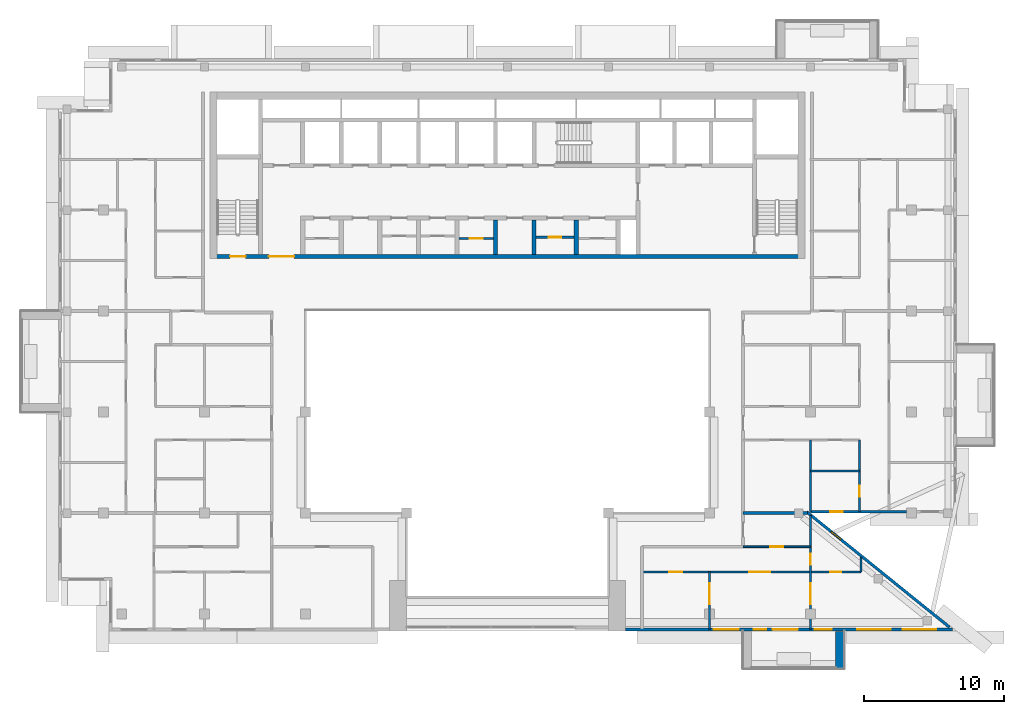
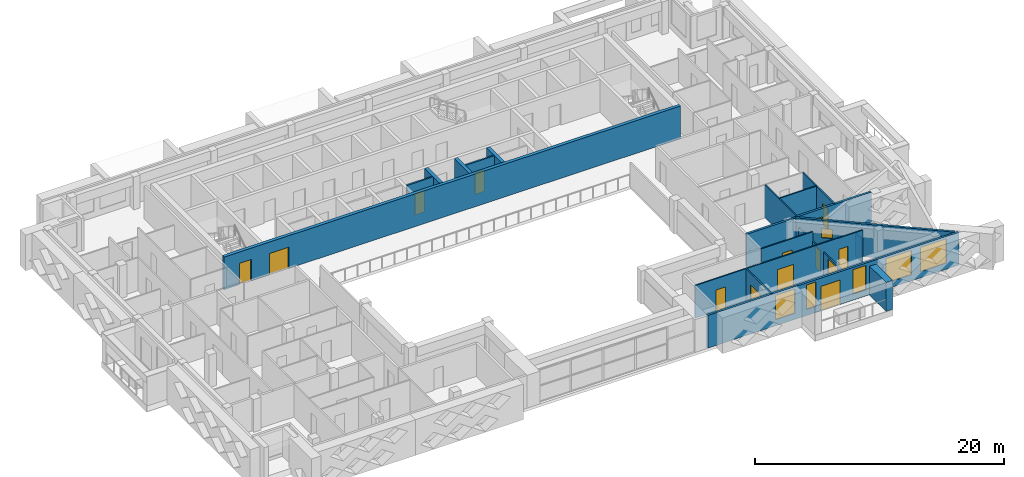
# One storey, part 8 of 19: 19 walls, 13 doors, 7 windows, 20 openings.
"""IFC4 building model written with IfcOpenShell, lengths in metres."""

from ifc_helpers import new_model, si_unit, direction, frame, frame_2d, origin, place, context, subcontext, project, spatial, rectangle, extrude, material, layer, layer_set, type_object, element, fill, save


model = new_model("IFC4")

# Units and contexts
model_context = context("Model", 3, precision=1e-05, world=origin(), true_north=direction((0.0, 1.0)))
body_context = subcontext(model_context, "Body", "Model", "MODEL_VIEW")
ifc_project = project(units=[si_unit("LENGTHUNIT", "METRE"), si_unit("AREAUNIT", "SQUARE_METRE"), si_unit("VOLUMEUNIT", "CUBIC_METRE"), si_unit("PLANEANGLEUNIT", "RADIAN"), si_unit("MASSUNIT", "GRAM", prefix="KILO")], contexts=[model_context])

# Site, building, storey
site_placement = place(None, origin())
site = spatial("IfcSite", under=ifc_project, at=site_placement, CompositionType="ELEMENT")
building_placement = place(site_placement, origin())
building = spatial("IfcBuilding", under=site, at=building_placement, Name="Saffron Iwan Residences", CompositionType="ELEMENT")
storey_placement = place(building_placement, frame((0.0, 0.0, 264.0)))
storey = spatial("IfcBuildingStorey", under=building, at=storey_placement, Name="L71", CompositionType="ELEMENT", Elevation=264.0)

# Wall
ifc_material_1 = material(Name="Concrete C50/60 white painted", Category="concrete")
ifc_layer_1 = layer(ifc_material_1, 0.60009765625)
ifc_layer_set_1 = layer_set([ifc_layer_1], Name="Concrete C50/60 white painted")
wall_type_1 = type_object("IfcWallType", Name="BALCONY FIN 600", PredefinedType="SOLIDWALL", material=ifc_layer_set_1)
wall_1_placement = place(storey_placement, frame((74.10009765625, 39.550048828125, 0.0), z_axis=(0.0, 0.0, 1.0), x_axis=(0.0, -1.0, 0.0)))
element("IfcWall", 1, at=wall_1_placement, inside=storey, type_object=wall_type_1, Name="Balcony fin L71 11-1b", PredefinedType="SOLIDWALL", context=body_context, shape_type="SweptSolid", body=[
    extrude(rectangle(XDim=2.650146484375, YDim=0.60009765625, at=frame_2d((1.3251953125, 0.0))), origin(), (0.0, 0.0, 1.0), 2.85009765625),
])

# Wall, opening, door
ifc_material_2 = material(Name="Fire-rated plasterboard partition")
ifc_layer_2 = layer(ifc_material_2, 0.14990234375)
ifc_layer_set_2 = layer_set([ifc_layer_2], Name="Fire-rated plasterboard partition")
wall_type_2 = type_object("IfcWallType", Name="Core partition 150", PredefinedType="PARTITIONING", material=ifc_layer_set_2)
wall_2_placement = place(storey_placement, frame((46.949951171875, 67.5654296875, 0.0), z_axis=(0.0, 0.0, 1.0), x_axis=(1.0, 0.0, 0.0)))
wall_2 = element("IfcWall", 2, at=wall_2_placement, inside=storey, type_object=wall_type_2, Name="Core partition P04", PredefinedType="PARTITIONING", context=body_context, shape_type="SweptSolid", body=[
    extrude(rectangle(XDim=2.449951171875, YDim=0.14990234375, at=frame_2d((1.22509765625, 0.0))), origin(), (0.0, 0.0, 1.0), 3.219970703125),
])
opening_1_placement = place(wall_2_placement, frame((0.77490234375, 0.0, 0.0)))
opening_1 = element("IfcOpeningElement", 3, at=opening_1_placement, cuts=wall_2, Name="Opening SB", PredefinedType="OPENING", context=body_context, shape_type="SweptSolid", body=[
    extrude(rectangle(XDim=0.89990234375, YDim=2.10009765625, at=frame_2d((0.449951171875, 1.050048828125))), frame((0.0, 0.0849609375, 0.0), z_axis=(0.0, -1.0, 0.0), x_axis=(1.0, 0.0, 0.0)), (0.0, 0.0, 1.0), 0.169921875),
])
ifc_material_3 = material(Name="Steel fire door", Category="steel")
door_type_1 = type_object("IfcDoorType", Name="Store door 900", OperationType="NOTDEFINED", PredefinedType="DOOR", material=ifc_material_3)
door_1_placement = place(opening_1_placement, origin())
door_1 = element("IfcDoor", 4, at=door_1_placement, inside=storey, type_object=door_type_1, Name="Door Records store", OperationType="SINGLE_SWING_RIGHT", OverallHeight=2.10009765625, OverallWidth=0.89990234375, PredefinedType="DOOR", context=body_context, shape_type="SweptSolid", body=[
    extrude(rectangle(XDim=0.89990234375, YDim=2.10009765625, at=frame_2d((0.449951171875, 1.050048828125))), frame((0.0, 0.02490234375, 0.0), z_axis=(0.0, -1.0, 0.0), x_axis=(1.0, 0.0, 0.0)), (0.0, 0.0, 1.0), 0.050048828125),
])
fill(opening_1, door_1)

wall_3_placement = place(storey_placement, frame((52.449951171875, 67.66259765625, 0.0), z_axis=(0.0, 0.0, 1.0), x_axis=(1.0, 0.0, 0.0)))
wall_3 = element("IfcWall", 5, at=wall_3_placement, inside=storey, type_object=wall_type_2, Name="Core partition P05", PredefinedType="PARTITIONING", context=body_context, shape_type="SweptSolid", body=[
    extrude(rectangle(XDim=2.699951171875, YDim=0.14990234375, at=frame_2d((1.35009765625, 0.0))), origin(), (0.0, 0.0, 1.0), 3.219970703125),
])
opening_2_placement = place(wall_3_placement, frame((0.89990234375, 0.0, 0.0)))
opening_2 = element("IfcOpeningElement", 6, at=opening_2_placement, cuts=wall_3, Name="Opening SB", PredefinedType="OPENING", context=body_context, shape_type="SweptSolid", body=[
    extrude(rectangle(XDim=0.89990234375, YDim=2.10009765625, at=frame_2d((0.449951171875, 1.050048828125))), frame((0.0, 0.0849609375, 0.0), z_axis=(0.0, -1.0, 0.0), x_axis=(1.0, 0.0, 0.0)), (0.0, 0.0, 1.0), 0.169921875),
])
door_2_placement = place(opening_2_placement, origin())
door_2 = element("IfcDoor", 7, at=door_2_placement, inside=storey, type_object=door_type_1, Name="Door Mop store", OperationType="SINGLE_SWING_LEFT", OverallHeight=2.10009765625, OverallWidth=0.89990234375, PredefinedType="DOOR", context=body_context, shape_type="SweptSolid", body=[
    extrude(rectangle(XDim=0.89990234375, YDim=2.10009765625, at=frame_2d((0.449951171875, 1.050048828125))), frame((0.0, 0.02490234375, 0.0), z_axis=(0.0, -1.0, 0.0), x_axis=(1.0, 0.0, 0.0)), (0.0, 0.0, 1.0), 0.050048828125),
])
fill(opening_2, door_2)

# Wall, opening, window
ifc_material_4 = material(Name="Concrete C40/50", Category="concrete")
ifc_layer_3 = layer(ifc_material_4, 0.199951171875)
ifc_layer_set_3 = layer_set([ifc_layer_3], Name="Concrete C40/50")
wall_type_3 = type_object("IfcWallType", Name="EXTERNAL WALL 200", PredefinedType="SOLIDWALL", material=ifc_layer_set_3)
wall_4_placement = place(storey_placement, frame((81.906982421875, 39.86962890625, 0.0), z_axis=(0.0, 0.0, 1.0), x_axis=(-0.777936274417, 0.62834318087, 0.0)))
wall_4 = element("IfcWall", 8, at=wall_4_placement, inside=storey, type_object=wall_type_3, Name="External wall L71 F0.0", PredefinedType="SOLIDWALL", context=body_context, shape_type="SweptSolid", body=[
    extrude(rectangle(XDim=13.0986328125, YDim=0.199951171875, at=frame_2d((6.54931640625, 0.0))), origin(), (0.0, 0.0, 1.0), 3.219970703125),
])
opening_3_placement = place(wall_4_placement, frame((9.9384765625, 0.0, 1.5)))
opening_3 = element("IfcOpeningElement", 9, at=opening_3_placement, cuts=wall_4, Name="Opening W6", PredefinedType="OPENING", context=body_context, shape_type="SweptSolid", body=[
    extrude(rectangle(XDim=0.89990234375, YDim=0.89990234375, at=frame_2d((0.449951171875, 0.449951171875))), frame((0.0, 0.10986328125, 0.0), z_axis=(0.0, -1.0, 0.0), x_axis=(1.0, 0.0, 0.0)), (0.0, 0.0, 1.0), 0.219970703125),
])
ifc_material_5 = material(Name="Clear glass, laminated double glazed", Category="glass")
window_type_1 = type_object("IfcWindowType", Name="WINDOW 900 x 900 BATH", PartitioningType="SINGLE_PANEL", PredefinedType="WINDOW", material=ifc_material_5)
window_1_placement = place(opening_3_placement, origin())
window_1 = element("IfcWindow", 10, at=window_1_placement, inside=storey, type_object=window_type_1, Name="Window L71 F0.0", OverallHeight=0.89990234375, OverallWidth=0.89990234375, PartitioningType="SINGLE_PANEL", PredefinedType="WINDOW", context=body_context, shape_type="SweptSolid", body=[
    extrude(rectangle(XDim=0.89990234375, YDim=0.89990234375, at=frame_2d((0.449951171875, 0.449951171875))), frame((0.0, 0.030029296875, 0.0), z_axis=(0.0, -1.0, 0.0), x_axis=(1.0, 0.0, 0.0)), (0.0, 0.0, 1.0), 0.06005859375),
])
fill(opening_3, window_1)

wall_5_placement = place(storey_placement, frame((71.987060546875, 48.10009765625, 0.0), z_axis=(0.0, 0.0, 1.0), x_axis=(1.0, 0.0, 0.0)))
wall_5 = element("IfcWall", 11, at=wall_5_placement, inside=storey, type_object=wall_type_3, Name="External wall L71 F1.0", PredefinedType="SOLIDWALL", context=body_context, shape_type="SweptSolid", body=[
    extrude(rectangle(XDim=6.863037109375, YDim=0.199951171875, at=frame_2d((3.431640625, 0.0))), origin(), (0.0, 0.0, 1.0), 3.219970703125),
])
opening_4_placement = place(wall_5_placement, frame((1.406494140625, 0.0, 1.5)))
opening_4 = element("IfcOpeningElement", 12, at=opening_4_placement, cuts=wall_5, Name="Opening W6", PredefinedType="OPENING", context=body_context, shape_type="SweptSolid", body=[
    extrude(rectangle(XDim=0.89990234375, YDim=0.89990234375, at=frame_2d((0.449951171875, 0.449951171875))), frame((0.0, 0.10986328125, 0.0), z_axis=(0.0, -1.0, 0.0), x_axis=(1.0, 0.0, 0.0)), (0.0, 0.0, 1.0), 0.219970703125),
])
window_2_placement = place(opening_4_placement, origin())
window_2 = element("IfcWindow", 13, at=window_2_placement, inside=storey, type_object=window_type_1, Name="Window L71 F1.0", OverallHeight=0.89990234375, OverallWidth=0.89990234375, PartitioningType="SINGLE_PANEL", PredefinedType="WINDOW", context=body_context, shape_type="SweptSolid", body=[
    extrude(rectangle(XDim=0.89990234375, YDim=0.89990234375, at=frame_2d((0.449951171875, 0.449951171875))), frame((0.0, 0.030029296875, 0.0), z_axis=(0.0, -1.0, 0.0), x_axis=(1.0, 0.0, 0.0)), (0.0, 0.0, 1.0), 0.06005859375),
])
fill(opening_4, window_2)

# Wall, openings, door, windows
wall_6_placement = place(storey_placement, frame((58.800048828125, 39.699951171875, 0.0), z_axis=(0.0, 0.0, 1.0), x_axis=(1.0, 0.0, 0.0)))
wall_6 = element("IfcWall", 14, at=wall_6_placement, inside=storey, type_object=wall_type_3, Name="External wall L71 F11.1", PredefinedType="SOLIDWALL", context=body_context, shape_type="SweptSolid", body=[
    extrude(rectangle(XDim=23.31689453125, YDim=0.199951171875, at=frame_2d((11.658447265625, 0.0))), origin(), (0.0, 0.0, 1.0), 3.219970703125),
])
opening_5_placement = place(wall_6_placement, frame((10.5, 0.0, 0.0)))
opening_5 = element("IfcOpeningElement", 15, at=opening_5_placement, cuts=wall_6, Name="Opening BD1", PredefinedType="OPENING", context=body_context, shape_type="SweptSolid", body=[
    extrude(rectangle(XDim=1.800048828125, YDim=2.39990234375, at=frame_2d((0.89990234375, 1.199951171875))), frame((0.0, 0.10986328125, 0.0), z_axis=(0.0, -1.0, 0.0), x_axis=(1.0, 0.0, 0.0)), (0.0, 0.0, 1.0), 0.219970703125),
])
opening_6_placement = place(wall_6_placement, frame((6.300048828125, 0.0, 0.60009765625)))
opening_6 = element("IfcOpeningElement", 16, at=opening_6_placement, cuts=wall_6, Name="Opening W8", PredefinedType="OPENING", context=body_context, shape_type="SweptSolid", body=[
    extrude(rectangle(XDim=1.800048828125, YDim=2.39990234375, at=frame_2d((0.89990234375, 1.199951171875))), frame((0.0, 0.10986328125, 0.0), z_axis=(0.0, -1.0, 0.0), x_axis=(1.0, 0.0, 0.0)), (0.0, 0.0, 1.0), 0.219970703125),
])
opening_7_placement = place(wall_6_placement, frame((9.14990234375, 0.0, 0.60009765625)))
opening_7 = element("IfcOpeningElement", 17, at=opening_7_placement, cuts=wall_6, Name="Opening W10", PredefinedType="OPENING", context=body_context, shape_type="SweptSolid", body=[
    extrude(rectangle(XDim=0.89990234375, YDim=2.39990234375, at=frame_2d((0.449951171875, 1.199951171875))), frame((0.0, 0.10986328125, 0.0), z_axis=(0.0, -1.0, 0.0), x_axis=(1.0, 0.0, 0.0)), (0.0, 0.0, 1.0), 0.219970703125),
])
opening_8_placement = place(wall_6_placement, frame((13.5, 0.0, 0.60009765625)))
opening_8 = element("IfcOpeningElement", 18, at=opening_8_placement, cuts=wall_6, Name="Opening W3", PredefinedType="OPENING", context=body_context, shape_type="SweptSolid", body=[
    extrude(rectangle(XDim=1.199951171875, YDim=2.39990234375, at=frame_2d((0.60009765625, 1.199951171875))), frame((0.0, 0.10986328125, 0.0), z_axis=(0.0, -1.0, 0.0), x_axis=(1.0, 0.0, 0.0)), (0.0, 0.0, 1.0), 0.219970703125),
])
opening_9_placement = place(wall_6_placement, frame((16.5390625, 0.0, 0.60009765625)))
opening_9 = element("IfcOpeningElement", 19, at=opening_9_placement, cuts=wall_6, Name="Opening W1", PredefinedType="OPENING", context=body_context, shape_type="SweptSolid", body=[
    extrude(rectangle(XDim=2.39990234375, YDim=2.39990234375, at=frame_2d((1.199951171875, 1.199951171875))), frame((0.0, 0.10986328125, 0.0), z_axis=(0.0, -1.0, 0.0), x_axis=(1.0, 0.0, 0.0)), (0.0, 0.0, 1.0), 0.219970703125),
])
opening_10_placement = place(wall_6_placement, frame((19.778076171875, 0.0, 0.60009765625)))
opening_10 = element("IfcOpeningElement", 20, at=opening_10_placement, cuts=wall_6, Name="Opening W1", PredefinedType="OPENING", context=body_context, shape_type="SweptSolid", body=[
    extrude(rectangle(XDim=2.39990234375, YDim=2.39990234375, at=frame_2d((1.199951171875, 1.199951171875))), frame((0.0, 0.10986328125, 0.0), z_axis=(0.0, -1.0, 0.0), x_axis=(1.0, 0.0, 0.0)), (0.0, 0.0, 1.0), 0.219970703125),
])
door_type_2 = type_object("IfcDoorType", Name="BALCONY DOOR 1800 x 2400", OperationType="DOUBLE_DOOR_SLIDING", PredefinedType="DOOR", material=ifc_material_5)
door_3_placement = place(opening_5_placement, origin())
door_3 = element("IfcDoor", 21, at=door_3_placement, inside=storey, type_object=door_type_2, Name="Balcony door L71 F11.0", OperationType="DOUBLE_DOOR_SLIDING", OverallHeight=2.39990234375, OverallWidth=1.800048828125, PredefinedType="DOOR", context=body_context, shape_type="SweptSolid", body=[
    extrude(rectangle(XDim=1.800048828125, YDim=2.39990234375, at=frame_2d((0.89990234375, 1.199951171875))), frame((0.0, 0.02490234375, 0.0), z_axis=(0.0, -1.0, 0.0), x_axis=(1.0, 0.0, 0.0)), (0.0, 0.0, 1.0), 0.050048828125),
])
fill(opening_5, door_3)
window_type_2 = type_object("IfcWindowType", Name="WINDOW 1200 x 2400", PartitioningType="SINGLE_PANEL", PredefinedType="WINDOW", material=ifc_material_5)
window_3_placement = place(opening_8_placement, origin())
window_3 = element("IfcWindow", 22, at=window_3_placement, inside=storey, type_object=window_type_2, Name="Window L71 F11.3", OverallHeight=2.39990234375, OverallWidth=1.199951171875, PartitioningType="SINGLE_PANEL", PredefinedType="WINDOW", context=body_context, shape_type="SweptSolid", body=[
    extrude(rectangle(XDim=1.199951171875, YDim=2.39990234375, at=frame_2d((0.60009765625, 1.199951171875))), frame((0.0, 0.030029296875, 0.0), z_axis=(0.0, -1.0, 0.0), x_axis=(1.0, 0.0, 0.0)), (0.0, 0.0, 1.0), 0.06005859375),
])
fill(opening_8, window_3)
window_type_3 = type_object("IfcWindowType", Name="WINDOW 1800 x 2400", PartitioningType="DOUBLE_PANEL_VERTICAL", PredefinedType="WINDOW", material=ifc_material_5)
window_4_placement = place(opening_6_placement, origin())
window_4 = element("IfcWindow", 23, at=window_4_placement, inside=storey, type_object=window_type_3, Name="Window L71 F11.1", OverallHeight=2.39990234375, OverallWidth=1.800048828125, PartitioningType="DOUBLE_PANEL_VERTICAL", PredefinedType="WINDOW", context=body_context, shape_type="SweptSolid", body=[
    extrude(rectangle(XDim=1.800048828125, YDim=2.39990234375, at=frame_2d((0.89990234375, 1.199951171875))), frame((0.0, 0.030029296875, 0.0), z_axis=(0.0, -1.0, 0.0), x_axis=(1.0, 0.0, 0.0)), (0.0, 0.0, 1.0), 0.06005859375),
])
fill(opening_6, window_4)
window_type_4 = type_object("IfcWindowType", Name="WINDOW 2400 x 2400", PartitioningType="DOUBLE_PANEL_VERTICAL", PredefinedType="WINDOW", material=ifc_material_5)
window_5_placement = place(opening_9_placement, origin())
window_5 = element("IfcWindow", 24, at=window_5_placement, inside=storey, type_object=window_type_4, Name="Window L71 F11.4", OverallHeight=2.39990234375, OverallWidth=2.39990234375, PartitioningType="DOUBLE_PANEL_VERTICAL", PredefinedType="WINDOW", context=body_context, shape_type="SweptSolid", body=[
    extrude(rectangle(XDim=2.39990234375, YDim=2.39990234375, at=frame_2d((1.199951171875, 1.199951171875))), frame((0.0, 0.030029296875, 0.0), z_axis=(0.0, -1.0, 0.0), x_axis=(1.0, 0.0, 0.0)), (0.0, 0.0, 1.0), 0.06005859375),
])
fill(opening_9, window_5)
window_6_placement = place(opening_10_placement, origin())
window_6 = element("IfcWindow", 25, at=window_6_placement, inside=storey, type_object=window_type_4, Name="Window L71 F11.5", OverallHeight=2.39990234375, OverallWidth=2.39990234375, PartitioningType="DOUBLE_PANEL_VERTICAL", PredefinedType="WINDOW", context=body_context, shape_type="SweptSolid", body=[
    extrude(rectangle(XDim=2.39990234375, YDim=2.39990234375, at=frame_2d((1.199951171875, 1.199951171875))), frame((0.0, 0.030029296875, 0.0), z_axis=(0.0, -1.0, 0.0), x_axis=(1.0, 0.0, 0.0)), (0.0, 0.0, 1.0), 0.06005859375),
])
fill(opening_10, window_6)
window_type_5 = type_object("IfcWindowType", Name="WINDOW 900 x 2400", PartitioningType="SINGLE_PANEL", PredefinedType="WINDOW", material=ifc_material_5)
window_7_placement = place(opening_7_placement, origin())
window_7 = element("IfcWindow", 26, at=window_7_placement, inside=storey, type_object=window_type_5, Name="Window L71 F11.2", OverallHeight=2.39990234375, OverallWidth=0.89990234375, PartitioningType="SINGLE_PANEL", PredefinedType="WINDOW", context=body_context, shape_type="SweptSolid", body=[
    extrude(rectangle(XDim=0.89990234375, YDim=2.39990234375, at=frame_2d((0.449951171875, 1.199951171875))), frame((0.0, 0.030029296875, 0.0), z_axis=(0.0, -1.0, 0.0), x_axis=(1.0, 0.0, 0.0)), (0.0, 0.0, 1.0), 0.06005859375),
])
fill(opening_7, window_7)

# Wall
ifc_material_6 = material(Name="Fire-rated gypsum board wall")
ifc_layer_4 = layer(ifc_material_6, 0.199951171875)
ifc_layer_set_4 = layer_set([ifc_layer_4], Name="Fire-rated gypsum board wall")
wall_type_4 = type_object("IfcWallType", Name="Flat demising wall 200", PredefinedType="SOLIDWALL", material=ifc_layer_set_4)
wall_7_placement = place(storey_placement, frame((67.199951171875, 48.0, 0.0), z_axis=(0.0, 0.0, 1.0), x_axis=(1.0, 0.0, 0.0)))
element("IfcWall", 27, at=wall_7_placement, inside=storey, type_object=wall_type_4, Name="W-L71-DEMISE-h48-67.2", PredefinedType="SOLIDWALL", context=body_context, shape_type="SweptSolid", body=[
    extrude(rectangle(XDim=4.60107421875, YDim=0.199951171875, at=frame_2d((2.300537109375, 0.0))), origin(), (0.0, 0.0, 1.0), 3.219970703125),
])

# Wall, openings, doors
ifc_material_7 = material(Name="Gypsum board partition")
ifc_layer_5 = layer(ifc_material_7, 0.1201171875)
ifc_layer_set_5 = layer_set([ifc_layer_5], Name="Gypsum board partition")
wall_type_5 = type_object("IfcWallType", Name="Flat partition 120", PredefinedType="PARTITIONING", material=ifc_layer_set_5)
wall_8_placement = place(storey_placement, frame((60.0, 43.800048828125, 0.0), z_axis=(0.0, 0.0, 1.0), x_axis=(1.0, 0.0, 0.0)))
wall_8 = element("IfcWall", 28, at=wall_8_placement, inside=storey, type_object=wall_type_5, Name="W-L71-PART-h43.8-60", PredefinedType="PARTITIONING", context=body_context, shape_type="SweptSolid", body=[
    extrude(rectangle(XDim=15.60009765625, YDim=0.1201171875, at=frame_2d((7.800048828125, 0.0))), origin(), (0.0, 0.0, 1.0), 3.219970703125),
])
opening_11_placement = place(wall_8_placement, frame((7.64990234375, 0.0, 0.0)))
opening_11 = element("IfcOpeningElement", 29, at=opening_11_placement, cuts=wall_8, Name="Opening FD4", PredefinedType="OPENING", context=body_context, shape_type="SweptSolid", body=[
    extrude(rectangle(XDim=1.5, YDim=2.10009765625, at=frame_2d((0.75, 1.050048828125))), frame((0.0, 0.070068359375, 0.0), z_axis=(0.0, -1.0, 0.0), x_axis=(1.0, 0.0, 0.0)), (0.0, 0.0, 1.0), 0.14013671875),
])
opening_12_placement = place(wall_8_placement, frame((1.949951171875, 0.0, 0.0)))
opening_12 = element("IfcOpeningElement", 30, at=opening_12_placement, cuts=wall_8, Name="Opening FD2", PredefinedType="OPENING", context=body_context, shape_type="SweptSolid", body=[
    extrude(rectangle(XDim=0.89990234375, YDim=2.10009765625, at=frame_2d((0.449951171875, 1.050048828125))), frame((0.0, 0.070068359375, 0.0), z_axis=(0.0, -1.0, 0.0), x_axis=(1.0, 0.0, 0.0)), (0.0, 0.0, 1.0), 0.14013671875),
])
opening_13_placement = place(wall_8_placement, frame((13.39990234375, 0.0, 0.0)))
opening_13 = element("IfcOpeningElement", 31, at=opening_13_placement, cuts=wall_8, Name="Opening FD3", PredefinedType="OPENING", context=body_context, shape_type="SweptSolid", body=[
    extrude(rectangle(XDim=0.800048828125, YDim=2.10009765625, at=frame_2d((0.39990234375, 1.050048828125))), frame((0.0, 0.070068359375, 0.0), z_axis=(0.0, -1.0, 0.0), x_axis=(1.0, 0.0, 0.0)), (0.0, 0.0, 1.0), 0.14013671875),
])
ifc_material_8 = material(Name="Timber door", Category="wood")
door_type_3 = type_object("IfcDoorType", Name="Bathroom door 800", OperationType="NOTDEFINED", PredefinedType="DOOR", material=ifc_material_8)
door_4_placement = place(opening_13_placement, origin())
door_4 = element("IfcDoor", 32, at=door_4_placement, inside=storey, type_object=door_type_3, Name="Door L71-048", OperationType="SINGLE_SWING_LEFT", OverallHeight=2.10009765625, OverallWidth=0.800048828125, PredefinedType="DOOR", context=body_context, shape_type="SweptSolid", body=[
    extrude(rectangle(XDim=0.800048828125, YDim=2.10009765625, at=frame_2d((0.39990234375, 1.050048828125))), frame((0.0, 0.02490234375, 0.0), z_axis=(0.0, -1.0, 0.0), x_axis=(1.0, 0.0, 0.0)), (0.0, 0.0, 1.0), 0.050048828125),
])
fill(opening_13, door_4)
door_type_4 = type_object("IfcDoorType", Name="Double door 1500", OperationType="NOTDEFINED", PredefinedType="DOOR", material=ifc_material_8)
door_5_placement = place(opening_11_placement, origin())
door_5 = element("IfcDoor", 33, at=door_5_placement, inside=storey, type_object=door_type_4, Name="Door L71-044", OperationType="SINGLE_SWING_RIGHT", OverallHeight=2.10009765625, OverallWidth=1.5, PredefinedType="DOOR", context=body_context, shape_type="SweptSolid", body=[
    extrude(rectangle(XDim=1.5, YDim=2.10009765625, at=frame_2d((0.75, 1.050048828125))), frame((0.0, 0.02490234375, 0.0), z_axis=(0.0, -1.0, 0.0), x_axis=(1.0, 0.0, 0.0)), (0.0, 0.0, 1.0), 0.050048828125),
])
fill(opening_11, door_5)
door_type_5 = type_object("IfcDoorType", Name="Flat door 900", OperationType="NOTDEFINED", PredefinedType="DOOR", material=ifc_material_8)
door_6_placement = place(opening_12_placement, origin())
door_6 = element("IfcDoor", 34, at=door_6_placement, inside=storey, type_object=door_type_5, Name="Door L71-045", OperationType="SINGLE_SWING_LEFT", OverallHeight=2.10009765625, OverallWidth=0.89990234375, PredefinedType="DOOR", context=body_context, shape_type="SweptSolid", body=[
    extrude(rectangle(XDim=0.89990234375, YDim=2.10009765625, at=frame_2d((0.449951171875, 1.050048828125))), frame((0.0, 0.02490234375, 0.0), z_axis=(0.0, -1.0, 0.0), x_axis=(1.0, 0.0, 0.0)), (0.0, 0.0, 1.0), 0.050048828125),
])
fill(opening_12, door_6)

# Wall, opening, door
wall_9_placement = place(storey_placement, frame((67.199951171875, 45.60009765625, 0.0), z_axis=(0.0, 0.0, 1.0), x_axis=(1.0, 0.0, 0.0)))
wall_9 = element("IfcWall", 35, at=wall_9_placement, inside=storey, type_object=wall_type_5, Name="W-L71-PART-h45.6-67.2", PredefinedType="PARTITIONING", context=body_context, shape_type="SweptSolid", body=[
    extrude(rectangle(XDim=4.800048828125, YDim=0.1201171875, at=frame_2d((2.39990234375, 0.0))), origin(), (0.0, 0.0, 1.0), 3.219970703125),
])
opening_14_placement = place(wall_9_placement, frame((1.949951171875, 0.0, 0.0)))
opening_14 = element("IfcOpeningElement", 36, at=opening_14_placement, cuts=wall_9, Name="Opening FD2", PredefinedType="OPENING", context=body_context, shape_type="SweptSolid", body=[
    extrude(rectangle(XDim=0.89990234375, YDim=2.10009765625, at=frame_2d((0.449951171875, 1.050048828125))), frame((0.0, 0.070068359375, 0.0), z_axis=(0.0, -1.0, 0.0), x_axis=(1.0, 0.0, 0.0)), (0.0, 0.0, 1.0), 0.14013671875),
])
door_7_placement = place(opening_14_placement, origin())
door_7 = element("IfcDoor", 37, at=door_7_placement, inside=storey, type_object=door_type_5, Name="Door L71-042", OperationType="SINGLE_SWING_LEFT", OverallHeight=2.10009765625, OverallWidth=0.89990234375, PredefinedType="DOOR", context=body_context, shape_type="SweptSolid", body=[
    extrude(rectangle(XDim=0.89990234375, YDim=2.10009765625, at=frame_2d((0.449951171875, 1.050048828125))), frame((0.0, 0.02490234375, 0.0), z_axis=(0.0, -1.0, 0.0), x_axis=(1.0, 0.0, 0.0)), (0.0, 0.0, 1.0), 0.050048828125),
])
fill(opening_14, door_7)

# Wall
wall_10_placement = place(storey_placement, frame((72.0, 51.0, 0.0), z_axis=(0.0, 0.0, 1.0), x_axis=(1.0, 0.0, 0.0)))
element("IfcWall", 38, at=wall_10_placement, inside=storey, type_object=wall_type_5, Name="W-L71-PART-h51-72", PredefinedType="PARTITIONING", context=body_context, shape_type="SweptSolid", body=[
    extrude(rectangle(XDim=3.5, YDim=0.1201171875, at=frame_2d((1.75, 0.0))), origin(), (0.0, 0.0, 1.0), 3.219970703125),
])

# Wall, opening, door
wall_11_placement = place(storey_placement, frame((64.800048828125, 39.72509765625, 0.0), z_axis=(0.0, 0.0, 1.0), x_axis=(0.0, 1.0, 0.0)))
wall_11 = element("IfcWall", 39, at=wall_11_placement, inside=storey, type_object=wall_type_5, Name="W-L71-PART-v64.8-39.725", PredefinedType="PARTITIONING", context=body_context, shape_type="SweptSolid", body=[
    extrude(rectangle(XDim=4.074951171875, YDim=0.1201171875, at=frame_2d((2.03759765625, 0.0))), origin(), (0.0, 0.0, 1.0), 3.219970703125),
])
opening_15_placement = place(wall_11_placement, frame((1.78759765625, 0.0, 0.0)))
opening_15 = element("IfcOpeningElement", 40, at=opening_15_placement, cuts=wall_11, Name="Opening FD4", PredefinedType="OPENING", context=body_context, shape_type="SweptSolid", body=[
    extrude(rectangle(XDim=1.5, YDim=2.10009765625, at=frame_2d((0.75, 1.050048828125))), frame((0.0, 0.070068359375, 0.0), z_axis=(0.0, -1.0, 0.0), x_axis=(1.0, 0.0, 0.0)), (0.0, 0.0, 1.0), 0.14013671875),
])
door_8_placement = place(opening_15_placement, origin())
door_8 = element("IfcDoor", 41, at=door_8_placement, inside=storey, type_object=door_type_4, Name="Door L71-041", OperationType="SINGLE_SWING_LEFT", OverallHeight=2.10009765625, OverallWidth=1.5, PredefinedType="DOOR", context=body_context, shape_type="SweptSolid", body=[
    extrude(rectangle(XDim=1.5, YDim=2.10009765625, at=frame_2d((0.75, 1.050048828125))), frame((0.0, 0.02490234375, 0.0), z_axis=(0.0, -1.0, 0.0), x_axis=(1.0, 0.0, 0.0)), (0.0, 0.0, 1.0), 0.050048828125),
])
fill(opening_15, door_8)

# Wall, openings, doors
wall_12_placement = place(storey_placement, frame((72.0, 39.72509765625, 0.0), z_axis=(0.0, 0.0, 1.0), x_axis=(0.0, 1.0, 0.0)))
wall_12 = element("IfcWall", 42, at=wall_12_placement, inside=storey, type_object=wall_type_5, Name="W-L71-PART-v72-39.725", PredefinedType="PARTITIONING", context=body_context, shape_type="SweptSolid", body=[
    extrude(rectangle(XDim=8.114013671875, YDim=0.1201171875, at=frame_2d((4.05712890625, 0.0))), origin(), (0.0, 0.0, 1.0), 2.320068359375),
])
opening_16_placement = place(wall_12_placement, frame((1.78759765625, 0.0, 0.0)))
opening_16 = element("IfcOpeningElement", 43, at=opening_16_placement, cuts=wall_12, Name="Opening FD4", PredefinedType="OPENING", context=body_context, shape_type="SweptSolid", body=[
    extrude(rectangle(XDim=1.5, YDim=2.10009765625, at=frame_2d((0.75, 1.050048828125))), frame((0.0, 0.070068359375, 0.0), z_axis=(0.0, -1.0, 0.0), x_axis=(1.0, 0.0, 0.0)), (0.0, 0.0, 1.0), 0.14013671875),
])
opening_17_placement = place(wall_12_placement, frame((4.574951171875, 0.0, 0.0)))
opening_17 = element("IfcOpeningElement", 44, at=opening_17_placement, cuts=wall_12, Name="Opening FD3", PredefinedType="OPENING", context=body_context, shape_type="SweptSolid", body=[
    extrude(rectangle(XDim=0.800048828125, YDim=2.10009765625, at=frame_2d((0.39990234375, 1.050048828125))), frame((0.0, 0.070068359375, 0.0), z_axis=(0.0, -1.0, 0.0), x_axis=(1.0, 0.0, 0.0)), (0.0, 0.0, 1.0), 0.14013671875),
])
door_9_placement = place(opening_17_placement, origin())
door_9 = element("IfcDoor", 45, at=door_9_placement, inside=storey, type_object=door_type_3, Name="Door L71-047", OperationType="SINGLE_SWING_RIGHT", OverallHeight=2.10009765625, OverallWidth=0.800048828125, PredefinedType="DOOR", context=body_context, shape_type="SweptSolid", body=[
    extrude(rectangle(XDim=0.800048828125, YDim=2.10009765625, at=frame_2d((0.39990234375, 1.050048828125))), frame((0.0, 0.02490234375, 0.0), z_axis=(0.0, -1.0, 0.0), x_axis=(1.0, 0.0, 0.0)), (0.0, 0.0, 1.0), 0.050048828125),
])
fill(opening_17, door_9)
door_10_placement = place(opening_16_placement, origin())
door_10 = element("IfcDoor", 46, at=door_10_placement, inside=storey, type_object=door_type_4, Name="Door L71-046", OperationType="SINGLE_SWING_RIGHT", OverallHeight=2.10009765625, OverallWidth=1.5, PredefinedType="DOOR", context=body_context, shape_type="SweptSolid", body=[
    extrude(rectangle(XDim=1.5, YDim=2.10009765625, at=frame_2d((0.75, 1.050048828125))), frame((0.0, 0.02490234375, 0.0), z_axis=(0.0, -1.0, 0.0), x_axis=(1.0, 0.0, 0.0)), (0.0, 0.0, 1.0), 0.050048828125),
])
fill(opening_16, door_10)

# Wall
wall_13_placement = place(storey_placement, frame((72.0, 48.125, 0.0), z_axis=(0.0, 0.0, 1.0), x_axis=(0.0, 1.0, 0.0)))
element("IfcWall", 47, at=wall_13_placement, inside=storey, type_object=wall_type_5, Name="W-L71-PART-v72-48.125", PredefinedType="PARTITIONING", context=body_context, shape_type="SweptSolid", body=[
    extrude(rectangle(XDim=5.074951171875, YDim=0.1201171875, at=frame_2d((2.53759765625, 0.0))), origin(), (0.0, 0.0, 1.0), 3.219970703125),
])

# Wall, opening, door
wall_14_placement = place(storey_placement, frame((75.5, 48.125, 0.0), z_axis=(0.0, 0.0, 1.0), x_axis=(0.0, 1.0, 0.0)))
wall_14 = element("IfcWall", 48, at=wall_14_placement, inside=storey, type_object=wall_type_5, Name="W-L71-PART-v75.5-48.125", PredefinedType="PARTITIONING", context=body_context, shape_type="SweptSolid", body=[
    extrude(rectangle(XDim=5.074951171875, YDim=0.1201171875, at=frame_2d((2.53759765625, 0.0))), origin(), (0.0, 0.0, 1.0), 3.219970703125),
])
opening_18_placement = place(wall_14_placement, frame((1.03759765625, 0.0, 0.0)))
opening_18 = element("IfcOpeningElement", 49, at=opening_18_placement, cuts=wall_14, Name="Opening FD3", PredefinedType="OPENING", context=body_context, shape_type="SweptSolid", body=[
    extrude(rectangle(XDim=0.800048828125, YDim=2.10009765625, at=frame_2d((0.39990234375, 1.050048828125))), frame((0.0, 0.070068359375, 0.0), z_axis=(0.0, -1.0, 0.0), x_axis=(1.0, 0.0, 0.0)), (0.0, 0.0, 1.0), 0.14013671875),
])
door_11_placement = place(opening_18_placement, origin())
door_11 = element("IfcDoor", 50, at=door_11_placement, inside=storey, type_object=door_type_3, Name="Door L71-020", OperationType="SINGLE_SWING_RIGHT", OverallHeight=2.10009765625, OverallWidth=0.800048828125, PredefinedType="DOOR", context=body_context, shape_type="SweptSolid", body=[
    extrude(rectangle(XDim=0.800048828125, YDim=2.10009765625, at=frame_2d((0.39990234375, 1.050048828125))), frame((0.0, 0.02490234375, 0.0), z_axis=(0.0, -1.0, 0.0), x_axis=(1.0, 0.0, 0.0)), (0.0, 0.0, 1.0), 0.050048828125),
])
fill(opening_18, door_11)

# Wall
wall_15_placement = place(storey_placement, frame((75.60009765625, 43.800048828125, 0.0), z_axis=(0.0, 0.0, 1.0), x_axis=(0.0, 1.0, 0.0)))
element("IfcWall", 51, at=wall_15_placement, inside=storey, type_object=wall_type_5, Name="W-L71-PART-v75.6-43.8", PredefinedType="PARTITIONING", context=body_context, shape_type="SweptSolid", body=[
    extrude(rectangle(XDim=1.03515625, YDim=0.1201171875, at=frame_2d((0.517578125, 0.0))), origin(), (0.0, 0.0, 1.0), 2.320068359375),
])

# Wall, openings, doors
ifc_layer_6 = layer(ifc_material_4, 0.300048828125)
ifc_layer_set_6 = layer_set([ifc_layer_6], Name="Concrete C40/50")
wall_type_6 = type_object("IfcWallType", Name="WALL CORE 300 C40/50 3220 HIGH", PredefinedType="SHEAR", material=ifc_layer_set_6)
wall_16_placement = place(storey_placement, frame((29.199951171875, 66.300048828125, 0.0), z_axis=(0.0, 0.0, 1.0), x_axis=(1.0, 0.0, 0.0)))
wall_16 = element("IfcWall", 52, at=wall_16_placement, inside=storey, type_object=wall_type_6, Name="Core wall", PredefinedType="SHEAR", context=body_context, shape_type="SweptSolid", body=[
    extrude(rectangle(XDim=42.400146484375, YDim=0.300048828125, at=frame_2d((21.2001953125, 0.0))), origin(), (0.0, 0.0, 1.0), 3.219970703125),
])
opening_19_placement = place(wall_16_placement, frame((1.425048828125, 0.0, 0.0)))
opening_19 = element("IfcOpeningElement", 53, at=opening_19_placement, cuts=wall_16, Name="Opening SD", PredefinedType="OPENING", context=body_context, shape_type="SweptSolid", body=[
    extrude(rectangle(XDim=1.10009765625, YDim=2.10009765625, at=frame_2d((0.550048828125, 1.050048828125))), frame((0.0, 0.16015625, 0.0), z_axis=(0.0, -1.0, 0.0), x_axis=(1.0, 0.0, 0.0)), (0.0, 0.0, 1.0), 0.320068359375),
])
opening_20_placement = place(wall_16_placement, frame((4.199951171875, 0.0, 0.0)))
opening_20 = element("IfcOpeningElement", 54, at=opening_20_placement, cuts=wall_16, Name="Opening DD", PredefinedType="OPENING", context=body_context, shape_type="SweptSolid", body=[
    extrude(rectangle(XDim=1.800048828125, YDim=2.10009765625, at=frame_2d((0.89990234375, 1.050048828125))), frame((0.0, 0.16015625, 0.0), z_axis=(0.0, -1.0, 0.0), x_axis=(1.0, 0.0, 0.0)), (0.0, 0.0, 1.0), 0.320068359375),
])
door_type_6 = type_object("IfcDoorType", Name="Lobby double door 1800", OperationType="DOUBLE_DOOR_SINGLE_SWING", PredefinedType="DOOR", material=ifc_material_3)
door_12_placement = place(opening_20_placement, origin())
door_12 = element("IfcDoor", 55, at=door_12_placement, inside=storey, type_object=door_type_6, Name="Lobby doors", OperationType="DOUBLE_DOOR_SINGLE_SWING", OverallHeight=2.10009765625, OverallWidth=1.800048828125, PredefinedType="DOOR", context=body_context, shape_type="SweptSolid", body=[
    extrude(rectangle(XDim=1.800048828125, YDim=2.10009765625, at=frame_2d((0.89990234375, 1.050048828125))), frame((0.0, 0.02490234375, 0.0), z_axis=(0.0, -1.0, 0.0), x_axis=(1.0, 0.0, 0.0)), (0.0, 0.0, 1.0), 0.050048828125),
])
fill(opening_20, door_12)
door_type_7 = type_object("IfcDoorType", Name="Stair door 1100", OperationType="NOTDEFINED", PredefinedType="DOOR", material=ifc_material_3)
door_13_placement = place(opening_19_placement, origin())
door_13 = element("IfcDoor", 56, at=door_13_placement, inside=storey, type_object=door_type_7, Name="Stair door ST-W", OperationType="SINGLE_SWING_LEFT", OverallHeight=2.10009765625, OverallWidth=1.10009765625, PredefinedType="DOOR", context=body_context, shape_type="SweptSolid", body=[
    extrude(rectangle(XDim=1.10009765625, YDim=2.10009765625, at=frame_2d((0.550048828125, 1.050048828125))), frame((0.0, 0.02490234375, 0.0), z_axis=(0.0, -1.0, 0.0), x_axis=(1.0, 0.0, 0.0)), (0.0, 0.0, 1.0), 0.050048828125),
])
fill(opening_19, door_13)

# Walls
for number, where, z_axis, x_axis, name in (
    (57, (49.550048828125, 66.449951171875, 0.0), (0.0, 0.0, 1.0), (0.0, 1.0, 0.0), "Core wall"),
    (58, (52.300048828125, 66.449951171875, 0.0), (0.0, 0.0, 1.0), (0.0, 1.0, 0.0), "Core wall"),
    (59, (55.300048828125, 66.449951171875, 0.0), (0.0, 0.0, 1.0), (0.0, 1.0, 0.0), "Core wall"),
):
    element("IfcWall", number, at=place(storey_placement, frame(where, z_axis=z_axis, x_axis=x_axis)), inside=storey, type_object=wall_type_6, Name=name, PredefinedType="SHEAR", context=body_context, shape_type="SweptSolid", body=[
        extrude(rectangle(XDim=2.425048828125, YDim=0.300048828125, at=frame_2d((1.21240234375, 0.0))), origin(), (0.0, 0.0, 1.0), 3.219970703125),
    ])

save(model, "model.ifc")
